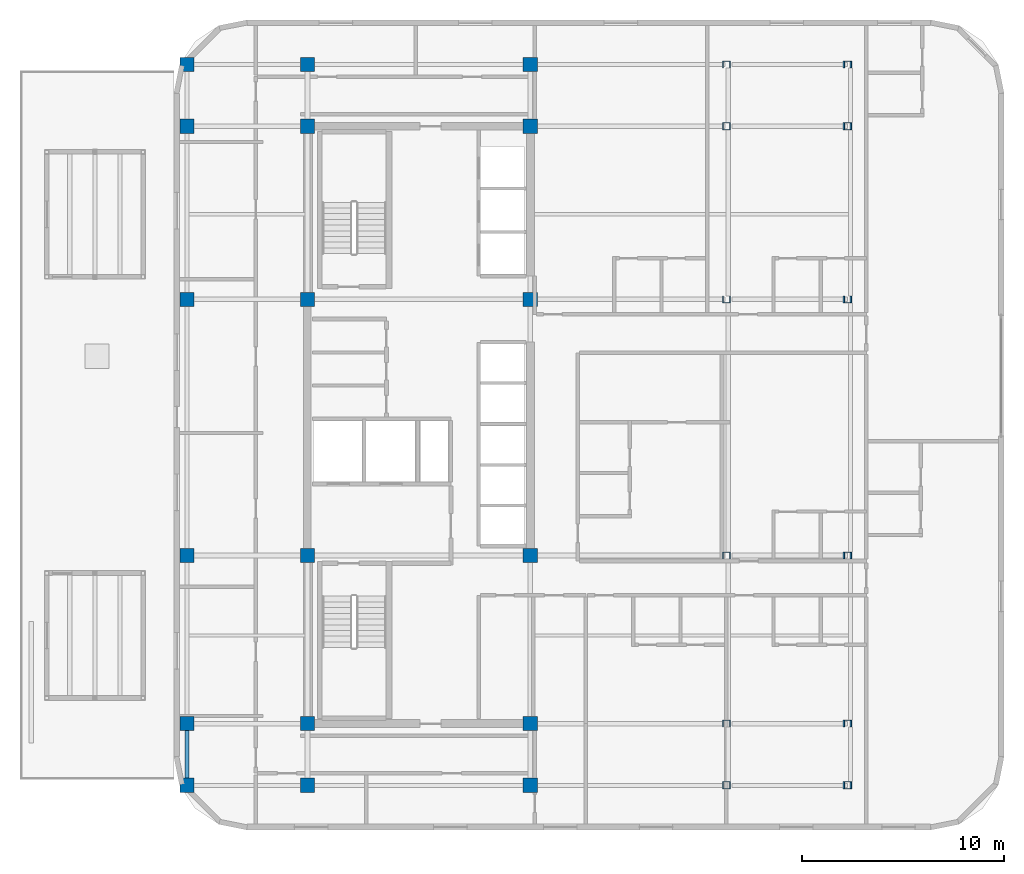
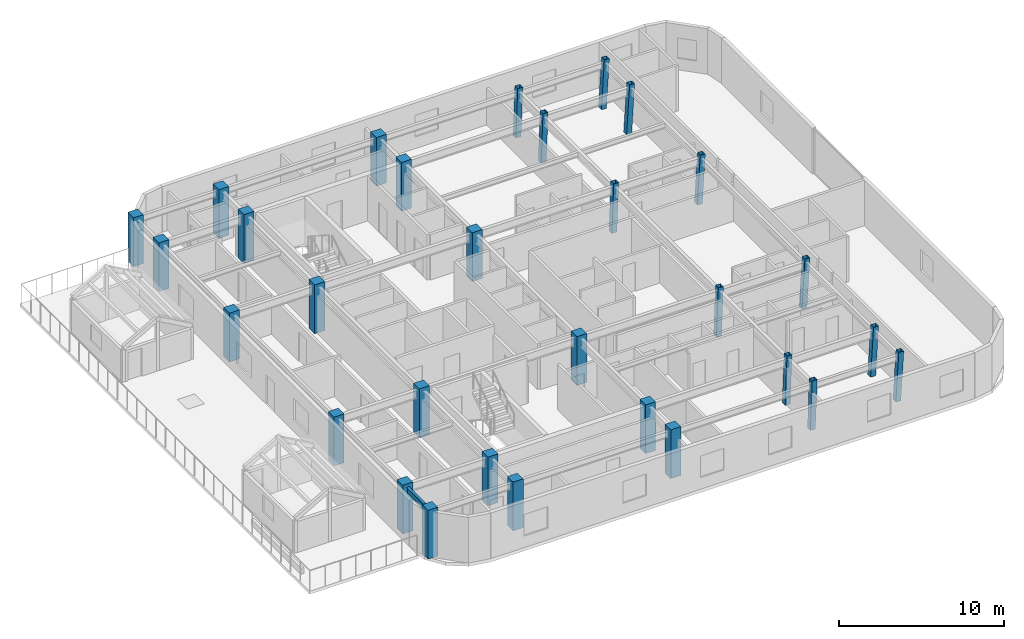
# One storey, part 1 of 16: 30 columns, 1 beam.
"""IFC4 building model written with IfcOpenShell, lengths in metres."""

from ifc_helpers import new_model, si_unit, direction, frame, origin, origin_2d, place, context, subcontext, project, spatial, rectangle, hollow_rectangle, i_section, extrude, material, material_profile, profile_set, type_object, element, save


model = new_model("IFC4")

# Units and contexts
model_context = context("Model", 3, precision=1e-05, world=origin(), true_north=direction((0.0, 1.0)))
body_context = subcontext(model_context, "Body", "Model", "MODEL_VIEW")
ifc_project = project(units=[si_unit("LENGTHUNIT", "METRE"), si_unit("AREAUNIT", "SQUARE_METRE"), si_unit("VOLUMEUNIT", "CUBIC_METRE"), si_unit("PLANEANGLEUNIT", "RADIAN"), si_unit("MASSUNIT", "GRAM", prefix="KILO")], contexts=[model_context])

# Site, building, storey
site_placement = place(None, origin())
site = spatial("IfcSite", under=ifc_project, at=site_placement, CompositionType="ELEMENT")
building_placement = place(site_placement, origin())
building = spatial("IfcBuilding", under=site, at=building_placement, Name="Ochreholt Gables", CompositionType="ELEMENT")
storey_placement = place(building_placement, frame((0.0, 0.0, 141.0)))
storey = spatial("IfcBuildingStorey", under=building, at=storey_placement, Name="L36", CompositionType="ELEMENT", Elevation=141.0)

# Columns
ifc_material_1 = material(Name="Steel CSA G40.21 350W", Category="steel")
ifc_material_profile_1 = material_profile(ifc_material_1, hollow_rectangle(XDim=0.35595703125, YDim=0.35595703125, WallThickness=0.01611328125, at=origin_2d()), Name="HSS356X356X16")
ifc_profile_set_1 = profile_set([ifc_material_profile_1], Name="Steel CSA G40.21 350W")
column_type_1 = type_object("IfcColumnType", Name="COL-HSS356-RAK", PredefinedType="COLUMN", material=ifc_profile_set_1)
for number, where, z_axis, x_axis, name in (
    (1, (44.87109375, 9.25, 0.0), (0.034971136209, 0.0, 0.999388322742), (0.0, 1.0, 0.0), "L36 Column EMY2"),
    (2, (44.87109375, 17.550048828125, 0.0), (0.034971136209, 0.0, 0.999388322742), (0.0, 1.0, 0.0), "L36 Column EMY3"),
    (3, (44.87109375, 30.199951171875, 0.0), (0.034971136209, 0.0, 0.999388322742), (0.0, 1.0, 0.0), "L36 Column EMY4"),
    (4, (44.87109375, 38.75, 0.0), (0.034971136209, 0.0, 0.999388322742), (0.0, 1.0, 0.0), "L36 Column EMY5"),
):
    element("IfcColumn", number, at=place(storey_placement, frame(where, z_axis=z_axis, x_axis=x_axis)), inside=storey, type_object=column_type_1, Name=name, PredefinedType="COLUMN", context=body_context, shape_type="SweptSolid", body=[
        extrude(hollow_rectangle(XDim=0.35595703125, YDim=0.35595703125, WallThickness=0.01611328125, at=origin_2d()), origin(), (0.0, 0.0, 1.0), 3.602294921875),
    ])
ifc_material_profile_2 = material_profile(ifc_material_1, hollow_rectangle(XDim=0.35595703125, YDim=0.35595703125, WallThickness=0.01611328125, at=origin_2d()), Name="HSS356X356X16")
ifc_profile_set_2 = profile_set([ifc_material_profile_2], Name="Steel CSA G40.21 350W")
column_type_2 = type_object("IfcColumnType", Name="COL-HSS356-RAKE", PredefinedType="COLUMN", material=ifc_profile_set_2)
for number, where, z_axis, x_axis, name in (
    (5, (44.87109375, 6.199951171875, 0.0), (0.034971136209, 0.0, 0.999388322742), (0.0, 1.0, 0.0), "L36 Column EMY1"),
    (6, (44.87109375, 41.800048828125, 0.0), (0.034971136209, 0.0, 0.999388322742), (0.0, 1.0, 0.0), "L36 Column EMY6"),
):
    element("IfcColumn", number, at=place(storey_placement, frame(where, z_axis=z_axis, x_axis=x_axis)), inside=storey, type_object=column_type_2, Name=name, PredefinedType="COLUMN", context=body_context, shape_type="SweptSolid", body=[
        extrude(hollow_rectangle(XDim=0.35595703125, YDim=0.35595703125, WallThickness=0.01611328125, at=origin_2d()), origin(), (0.0, 0.0, 1.0), 3.602294921875),
    ])
for number, where, z_axis, x_axis, name in (
    (7, (50.834716796875, 6.199951171875, 0.0), (0.057952080376, 0.0, 0.998319365925), (0.0, 1.0, 0.0), "L36 Column EEY1"),
    (8, (50.834716796875, 9.25, 0.0), (0.057952080376, 0.0, 0.998319365925), (0.0, 1.0, 0.0), "L36 Column EEY2"),
    (9, (50.834716796875, 17.550048828125, 0.0), (0.057952080376, 0.0, 0.998319365925), (0.0, 1.0, 0.0), "L36 Column EEY3"),
    (10, (50.834716796875, 30.199951171875, 0.0), (0.057952080376, 0.0, 0.998319365925), (0.0, 1.0, 0.0), "L36 Column EEY4"),
    (11, (50.834716796875, 38.75, 0.0), (0.057952080376, 0.0, 0.998319365925), (0.0, 1.0, 0.0), "L36 Column EEY5"),
    (12, (50.834716796875, 41.800048828125, 0.0), (0.057952080376, 0.0, 0.998319365925), (0.0, 1.0, 0.0), "L36 Column EEY6"),
):
    element("IfcColumn", number, at=place(storey_placement, frame(where, z_axis=z_axis, x_axis=x_axis)), inside=storey, type_object=column_type_2, Name=name, PredefinedType="COLUMN", context=body_context, shape_type="SweptSolid", body=[
        extrude(hollow_rectangle(XDim=0.35595703125, YDim=0.35595703125, WallThickness=0.01611328125, at=origin_2d()), origin(), (0.0, 0.0, 1.0), 3.606201171875),
    ])
ifc_material_2 = material(Name="Concrete 50 MPa", Category="concrete")
ifc_material_profile_3 = material_profile(ifc_material_2, rectangle(XDim=0.699951171875, YDim=0.699951171875, at=origin_2d()), Name="RC700X700")
ifc_profile_set_3 = profile_set([ifc_material_profile_3], Name="Concrete 50 MPa")
column_type_3 = type_object("IfcColumnType", Name="COL-RC700-EXT", PredefinedType="COLUMN", material=ifc_profile_set_3)
for number, where, z_axis, x_axis, name in (
    (13, (18.25, 6.199951171875, 0.0), (0.0, 0.0, 1.0), (1.0, 0.0, 0.0), "L36 Column W3Y1"),
    (14, (18.25, 9.25, 0.0), (0.0, 0.0, 1.0), (1.0, 0.0, 0.0), "L36 Column W3Y2"),
    (15, (18.25, 17.550048828125, 0.0), (0.0, 0.0, 1.0), (1.0, 0.0, 0.0), "L36 Column W3Y3"),
    (16, (18.25, 30.199951171875, 0.0), (0.0, 0.0, 1.0), (1.0, 0.0, 0.0), "L36 Column W3Y4"),
    (17, (18.25, 38.75, 0.0), (0.0, 0.0, 1.0), (1.0, 0.0, 0.0), "L36 Column W3Y5"),
    (18, (18.25, 41.800048828125, 0.0), (0.0, 0.0, 1.0), (1.0, 0.0, 0.0), "L36 Column W3Y6"),
    (19, (24.199951171875, 6.199951171875, 0.0), (0.0, 0.0, 1.0), (1.0, 0.0, 0.0), "L36 Column C1Y1"),
    (20, (24.199951171875, 41.800048828125, 0.0), (0.0, 0.0, 1.0), (1.0, 0.0, 0.0), "L36 Column C1Y6"),
    (21, (35.199951171875, 6.199951171875, 0.0), (0.0, 0.0, 1.0), (1.0, 0.0, 0.0), "L36 Column C2Y1"),
    (22, (35.199951171875, 41.800048828125, 0.0), (0.0, 0.0, 1.0), (1.0, 0.0, 0.0), "L36 Column C2Y6"),
):
    element("IfcColumn", number, at=place(storey_placement, frame(where, z_axis=z_axis, x_axis=x_axis)), inside=storey, type_object=column_type_3, Name=name, PredefinedType="COLUMN", context=body_context, shape_type="SweptSolid", body=[
        extrude(rectangle(XDim=0.699951171875, YDim=0.699951171875, at=origin_2d()), origin(), (0.0, 0.0, 1.0), 3.60009765625),
    ])
ifc_material_profile_4 = material_profile(ifc_material_2, rectangle(XDim=0.699951171875, YDim=0.699951171875, at=origin_2d()), Name="RC700X700")
ifc_profile_set_4 = profile_set([ifc_material_profile_4], Name="Concrete 50 MPa")
column_type_4 = type_object("IfcColumnType", Name="COL-RC700-INT", PredefinedType="COLUMN", material=ifc_profile_set_4)
for number, where, z_axis, x_axis, name in (
    (23, (24.199951171875, 9.25, 0.0), (0.0, 0.0, 1.0), (1.0, 0.0, 0.0), "L36 Column C1Y2"),
    (24, (24.199951171875, 17.550048828125, 0.0), (0.0, 0.0, 1.0), (1.0, 0.0, 0.0), "L36 Column C1Y3"),
    (25, (24.199951171875, 30.199951171875, 0.0), (0.0, 0.0, 1.0), (1.0, 0.0, 0.0), "L36 Column C1Y4"),
    (26, (24.199951171875, 38.75, 0.0), (0.0, 0.0, 1.0), (1.0, 0.0, 0.0), "L36 Column C1Y5"),
    (27, (35.199951171875, 9.25, 0.0), (0.0, 0.0, 1.0), (1.0, 0.0, 0.0), "L36 Column C2Y2"),
    (28, (35.199951171875, 17.550048828125, 0.0), (0.0, 0.0, 1.0), (1.0, 0.0, 0.0), "L36 Column C2Y3"),
    (29, (35.199951171875, 30.199951171875, 0.0), (0.0, 0.0, 1.0), (1.0, 0.0, 0.0), "L36 Column C2Y4"),
    (30, (35.199951171875, 38.75, 0.0), (0.0, 0.0, 1.0), (1.0, 0.0, 0.0), "L36 Column C2Y5"),
):
    element("IfcColumn", number, at=place(storey_placement, frame(where, z_axis=z_axis, x_axis=x_axis)), inside=storey, type_object=column_type_4, Name=name, PredefinedType="COLUMN", context=body_context, shape_type="SweptSolid", body=[
        extrude(rectangle(XDim=0.699951171875, YDim=0.699951171875, at=origin_2d()), origin(), (0.0, 0.0, 1.0), 3.60009765625),
    ])

# Beam
ifc_material_profile_5 = material_profile(ifc_material_1, i_section(OverallWidth=0.19189453125, OverallDepth=0.462890625, WebThickness=0.010498046875, FlangeThickness=0.017578125, at=origin_2d()), Name="W460X89")
ifc_profile_set_5 = profile_set([ifc_material_profile_5], Name="Steel CSA G40.21 350W")
beam_type = type_object("IfcBeamType", Name="BM-SP-W460A", PredefinedType="SPANDREL", material=ifc_profile_set_5)
beam_placement = place(storey_placement, frame((18.25, 6.549560546875, 3.12841796875), z_axis=(0.0, 1.0, 0.0), x_axis=(-1.0, 0.0, 0.0)))
element("IfcBeam", 31, at=beam_placement, inside=storey, type_object=beam_type, Name="L36 Beam TBN-L36-W3-Y1Y2", PredefinedType="SPANDREL", context=body_context, shape_type="SweptSolid", body=[
    extrude(i_section(OverallWidth=0.19189453125, OverallDepth=0.462890625, WebThickness=0.010498046875, FlangeThickness=0.017578125, at=origin_2d()), origin(), (0.0, 0.0, 1.0), 2.350830078125),
])

save(model, "model.ifc")
